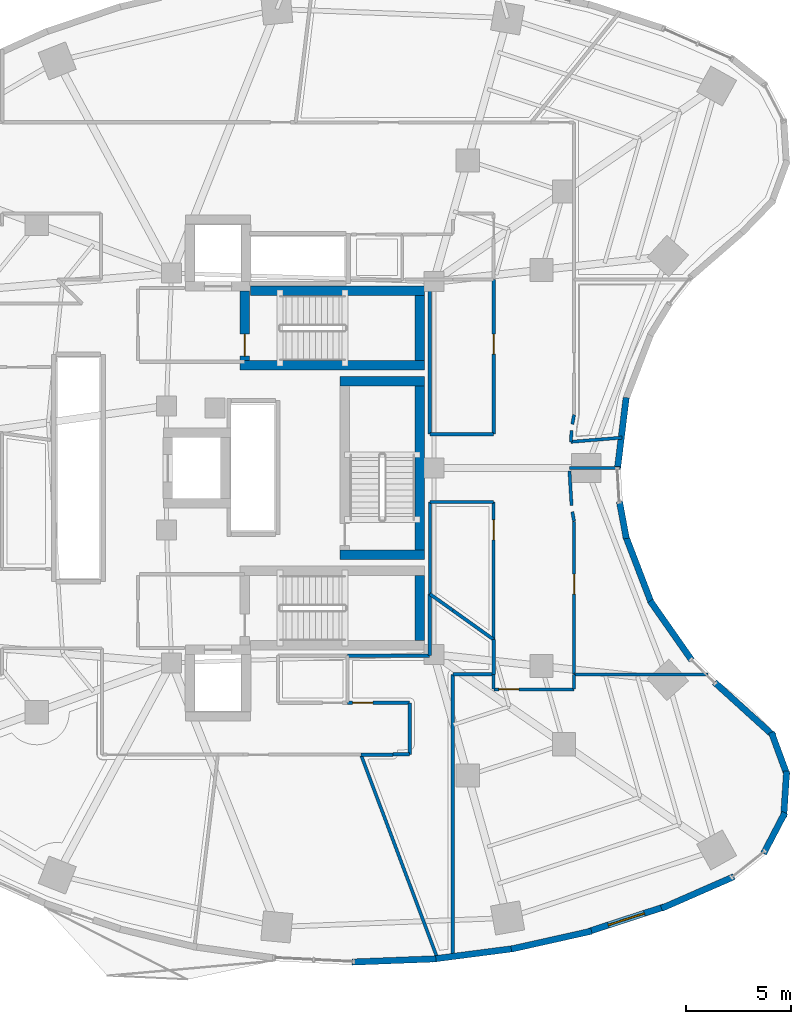
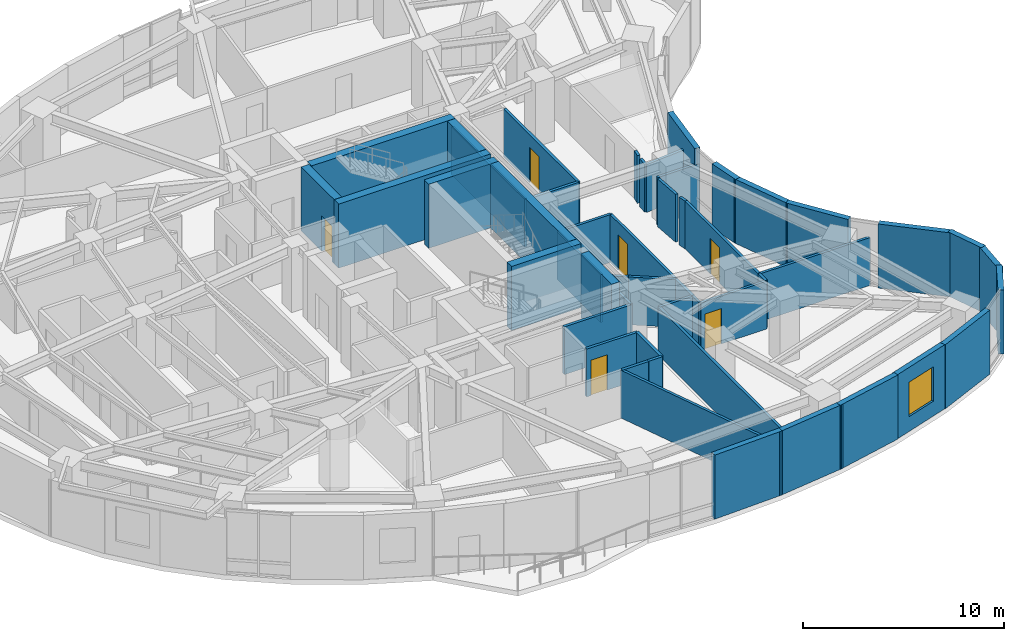
# One storey, part 10 of 16: 50 walls, 6 doors, 1 window, 7 openings.
"""IFC4 building model written with IfcOpenShell, lengths in metres."""

from ifc_helpers import new_model, si_unit, direction, frame, frame_2d, origin, place, context, subcontext, project, spatial, rectangle, extrude, material, layer, layer_set, type_object, element, fill, save


model = new_model("IFC4")

# Units and contexts
model_context = context("Model", 3, precision=1e-05, world=origin(), true_north=direction((0.0, 1.0)))
body_context = subcontext(model_context, "Body", "Model", "MODEL_VIEW")
ifc_project = project(units=[si_unit("LENGTHUNIT", "METRE"), si_unit("AREAUNIT", "SQUARE_METRE"), si_unit("VOLUMEUNIT", "CUBIC_METRE"), si_unit("PLANEANGLEUNIT", "RADIAN"), si_unit("MASSUNIT", "GRAM", prefix="KILO")], contexts=[model_context])

# Site, building, storey
site_placement = place(None, origin())
site = spatial("IfcSite", under=ifc_project, at=site_placement, CompositionType="ELEMENT")
building_placement = place(site_placement, origin())
building = spatial("IfcBuilding", under=site, at=building_placement, Name="Korentha Bioscience Tower", CompositionType="ELEMENT")
storey_placement = place(building_placement, frame((0.0, 0.0, 59.39990234375)))
storey = spatial("IfcBuildingStorey", under=building, at=storey_placement, Name="L13", CompositionType="ELEMENT", Elevation=59.39990234375)

# Wall, opening, door
ifc_material_1 = material(Name="Double-Stud Acoustic Gypsum", Category="gypsum")
ifc_layer_1 = layer(ifc_material_1, 0.14990234375, Name="Double-Stud Acoustic Gypsum")
ifc_layer_set_1 = layer_set([ifc_layer_1], Name="Double-Stud Acoustic Gypsum (IW-L150)")
wall_type_1 = type_object("IfcWallType", Name="Acoustic Laboratory Partition Wall 150", PredefinedType="PARTITIONING", material=ifc_layer_set_1)
wall_1_placement = place(storey_placement, frame((40.39990234375, 16.489990234375, 0.0), z_axis=(0.0, 0.0, 1.0), x_axis=(1.0, 0.0, 0.0)))
wall_1 = element("IfcWall", 1, at=wall_1_placement, inside=storey, type_object=wall_type_1, Name="L13 Research Group Leader Office 08 Entrance Wall", PredefinedType="PARTITIONING", context=body_context, shape_type="SweptSolid", body=[
    extrude(rectangle(XDim=3.800048828125, YDim=0.14990234375, at=frame_2d((1.89990234375, 0.0))), origin(), (0.0, 0.0, 1.0), 2.91015625),
])
opening_1_placement = place(wall_1_placement, frame((0.239990234375, 0.0, 0.0)))
opening_1 = element("IfcOpeningElement", 2, at=opening_1_placement, cuts=wall_1, Name="Opening ID-10L", PredefinedType="OPENING", context=body_context, shape_type="SweptSolid", body=[
    extrude(rectangle(XDim=0.949951171875, YDim=2.14990234375, at=frame_2d((0.47509765625, 1.074951171875))), frame((0.0, 0.08984375, 0.0), z_axis=(0.0, -1.0, 0.0), x_axis=(1.0, 0.0, 0.0)), (0.0, 0.0, 1.0), 0.1796875),
])
ifc_material_2 = material(Name="Phenolic Laminate Timber Core", Category="wood")
door_type_1 = type_object("IfcDoorType", Name="Laboratory Single Leaf Door 950x2150 Left", OperationType="SINGLE_SWING_LEFT", PredefinedType="DOOR", material=ifc_material_2)
door_1_placement = place(opening_1_placement, origin())
door_1 = element("IfcDoor", 3, at=door_1_placement, inside=storey, type_object=door_type_1, Name="L13 Research Group Leader Office 08 Door", OperationType="SINGLE_SWING_LEFT", OverallHeight=2.14990234375, OverallWidth=0.949951171875, PredefinedType="DOOR", context=body_context, shape_type="SweptSolid", body=[
    extrude(rectangle(XDim=0.949951171875, YDim=2.14990234375, at=frame_2d((0.47509765625, 1.074951171875))), frame((0.0, 0.02490234375, 0.0), z_axis=(0.0, -1.0, 0.0), x_axis=(1.0, 0.0, 0.0)), (0.0, 0.0, 1.0), 0.050048828125),
])
fill(opening_1, door_1)

wall_2_placement = place(storey_placement, frame((40.389892578125, 25.389892578125, 0.0), z_axis=(0.0, 0.0, 1.0), x_axis=(0.0, -1.0, 0.0)))
wall_2 = element("IfcWall", 4, at=wall_2_placement, inside=storey, type_object=wall_type_1, Name="L13 Data Visualization Collaboration Hub 09 Entrance Wall", PredefinedType="PARTITIONING", context=body_context, shape_type="SweptSolid", body=[
    extrude(rectangle(XDim=6.523193359375, YDim=0.14990234375, at=frame_2d((3.26171875, 0.0))), origin(), (0.0, 0.0, 1.0), 2.91015625),
])
opening_2_placement = place(wall_2_placement, frame((0.854736328125, 0.0, 0.0)))
opening_2 = element("IfcOpeningElement", 5, at=opening_2_placement, cuts=wall_2, Name="Opening ID-10R", PredefinedType="OPENING", context=body_context, shape_type="SweptSolid", body=[
    extrude(rectangle(XDim=0.949951171875, YDim=2.14990234375, at=frame_2d((0.47509765625, 1.074951171875))), frame((0.0, 0.08984375, 0.0), z_axis=(0.0, -1.0, 0.0), x_axis=(1.0, 0.0, 0.0)), (0.0, 0.0, 1.0), 0.1796875),
])
door_type_2 = type_object("IfcDoorType", Name="Laboratory Single Leaf Door 950x2150 Right", OperationType="SINGLE_SWING_RIGHT", PredefinedType="DOOR", material=ifc_material_2)
door_2_placement = place(opening_2_placement, origin())
door_2 = element("IfcDoor", 6, at=door_2_placement, inside=storey, type_object=door_type_2, Name="L13 Data Visualization Collaboration Hub 09 Door", OperationType="SINGLE_SWING_RIGHT", OverallHeight=2.14990234375, OverallWidth=0.949951171875, PredefinedType="DOOR", context=body_context, shape_type="SweptSolid", body=[
    extrude(rectangle(XDim=0.949951171875, YDim=2.14990234375, at=frame_2d((0.47509765625, 1.074951171875))), frame((0.0, 0.02490234375, 0.0), z_axis=(0.0, -1.0, 0.0), x_axis=(1.0, 0.0, 0.0)), (0.0, 0.0, 1.0), 0.050048828125),
])
fill(opening_2, door_2)

wall_3_placement = place(storey_placement, frame((44.2099609375, 17.2080078125, 0.0), z_axis=(0.0, 0.0, 1.0), x_axis=(0.0, 1.0, 0.0)))
wall_3 = element("IfcWall", 7, at=wall_3_placement, inside=storey, type_object=wall_type_1, Name="L13 Colloquium Huddle Room 10 Entrance Wall", PredefinedType="PARTITIONING", context=body_context, shape_type="SweptSolid", body=[
    extrude(rectangle(XDim=7.262451171875, YDim=0.14990234375, at=frame_2d((3.63134765625, 0.0))), origin(), (0.0, 0.0, 1.0), 2.91015625),
])
opening_3_placement = place(wall_3_placement, frame((3.806396484375, 0.0, 0.0)))
opening_3 = element("IfcOpeningElement", 8, at=opening_3_placement, cuts=wall_3, Name="Opening ID-10L", PredefinedType="OPENING", context=body_context, shape_type="SweptSolid", body=[
    extrude(rectangle(XDim=0.949951171875, YDim=2.14990234375, at=frame_2d((0.47509765625, 1.074951171875))), frame((0.0, 0.08984375, 0.0), z_axis=(0.0, -1.0, 0.0), x_axis=(1.0, 0.0, 0.0)), (0.0, 0.0, 1.0), 0.1796875),
])
door_3_placement = place(opening_3_placement, origin())
door_3 = element("IfcDoor", 9, at=door_3_placement, inside=storey, type_object=door_type_1, Name="L13 Colloquium Huddle Room 10 Door", OperationType="SINGLE_SWING_LEFT", OverallHeight=2.14990234375, OverallWidth=0.949951171875, PredefinedType="DOOR", context=body_context, shape_type="SweptSolid", body=[
    extrude(rectangle(XDim=0.949951171875, YDim=2.14990234375, at=frame_2d((0.47509765625, 1.074951171875))), frame((0.0, 0.02490234375, 0.0), z_axis=(0.0, -1.0, 0.0), x_axis=(1.0, 0.0, 0.0)), (0.0, 0.0, 1.0), 0.050048828125),
])
fill(opening_3, door_3)

# Walls
wall_4_placement = place(storey_placement, frame((34.087158203125, 13.389892578125, 0.0), z_axis=(0.0, 0.0, 1.0), x_axis=(0.351837225237, -0.936061198286, 0.0)))
element("IfcWall", 10, at=wall_4_placement, inside=storey, type_object=wall_type_1, Name="L13 Interior Partition 046", PredefinedType="PARTITIONING", context=body_context, shape_type="SweptSolid", body=[
    extrude(rectangle(XDim=10.456298828125, YDim=0.14990234375, at=frame_2d((5.22802734375, 0.0))), origin(), (0.0, 0.0, 1.0), 2.91015625),
])
wall_5_placement = place(storey_placement, frame((40.389892578125, 17.19189453125, 0.0), z_axis=(0.0, 0.0, 1.0), x_axis=(0.0, -1.0, 0.0)))
element("IfcWall", 11, at=wall_5_placement, inside=storey, type_object=wall_type_1, Name="L13 Interior Partition 058", PredefinedType="PARTITIONING", context=body_context, shape_type="SweptSolid", body=[
    extrude(rectangle(XDim=0.69189453125, YDim=0.14990234375, at=frame_2d((0.345947265625, 0.0))), origin(), (0.0, 0.0, 1.0), 2.91015625),
])
wall_6_placement = place(storey_placement, frame((44.2099609375, 16.5, 0.0), z_axis=(0.0, 0.0, 1.0), x_axis=(0.0, 1.0, 0.0)))
element("IfcWall", 12, at=wall_6_placement, inside=storey, type_object=wall_type_1, Name="L13 Interior Partition 059", PredefinedType="PARTITIONING", context=body_context, shape_type="SweptSolid", body=[
    extrude(rectangle(XDim=0.697998046875, YDim=0.14990234375, at=frame_2d((0.34912109375, 0.0))), origin(), (0.0, 0.0, 1.0), 2.91015625),
])
wall_7_placement = place(storey_placement, frame((44.2099609375, 17.197998046875, 0.0), z_axis=(0.0, 0.0, 1.0), x_axis=(1.0, 0.0, 0.0)))
element("IfcWall", 13, at=wall_7_placement, inside=storey, type_object=wall_type_1, Name="L13 Interior Partition 060", PredefinedType="PARTITIONING", context=body_context, shape_type="SweptSolid", body=[
    extrude(rectangle(XDim=6.347900390625, YDim=0.14990234375, at=frame_2d((3.173828125, 0.0))), origin(), (0.0, 0.0, 1.0), 2.91015625),
])
wall_8_placement = place(storey_placement, frame((37.360107421875, 21.025634765625, 0.0), z_axis=(0.0, 0.0, 1.0), x_axis=(0.0, 1.0, 0.0)))
element("IfcWall", 14, at=wall_8_placement, inside=storey, type_object=wall_type_1, Name="L13 Interior Partition 061", PredefinedType="PARTITIONING", context=body_context, shape_type="SweptSolid", body=[
    extrude(rectangle(XDim=4.3642578125, YDim=0.14990234375, at=frame_2d((2.18212890625, 0.0))), origin(), (0.0, 0.0, 1.0), 2.91015625),
])
wall_9_placement = place(storey_placement, frame((37.360107421875, 25.389892578125, 0.0), z_axis=(0.0, 0.0, 1.0), x_axis=(1.0, 0.0, 0.0)))
element("IfcWall", 15, at=wall_9_placement, inside=storey, type_object=wall_type_1, Name="L13 Interior Partition 062", PredefinedType="PARTITIONING", context=body_context, shape_type="SweptSolid", body=[
    extrude(rectangle(XDim=3.02978515625, YDim=0.14990234375, at=frame_2d((1.514892578125, 0.0))), origin(), (0.0, 0.0, 1.0), 2.91015625),
])
wall_10_placement = place(storey_placement, frame((44.209716796875, 24.47216796875, 0.0), z_axis=(0.0, 0.0, 1.0), x_axis=(-0.181936414242, 0.983310297502, 0.0)))
element("IfcWall", 16, at=wall_10_placement, inside=storey, type_object=wall_type_1, Name="L13 Interior Partition 063", PredefinedType="PARTITIONING", context=body_context, shape_type="SweptSolid", body=[
    extrude(rectangle(XDim=0.45751953125, YDim=0.14990234375, at=frame_2d((0.228759765625, 0.0))), origin(), (0.0, 0.0, 1.0), 2.91015625),
])
wall_11_placement = place(storey_placement, frame((44.090087890625, 25.217041015625, 0.0), z_axis=(0.0, 0.0, 1.0), x_axis=(-0.060976688407, 0.998139190429, 0.0)))
element("IfcWall", 17, at=wall_11_placement, inside=storey, type_object=wall_type_1, Name="L13 Interior Partition 064", PredefinedType="PARTITIONING", context=body_context, shape_type="SweptSolid", body=[
    extrude(rectangle(XDim=1.637451171875, YDim=0.14990234375, at=frame_2d((0.81884765625, 0.0))), origin(), (0.0, 0.0, 1.0), 2.91015625),
])
wall_12_placement = place(storey_placement, frame((43.986083984375, 26.998046875, 0.0), z_axis=(0.0, 0.0, 1.0), x_axis=(1.0, 0.0, 0.0)))
element("IfcWall", 18, at=wall_12_placement, inside=storey, type_object=wall_type_1, Name="L13 Interior Partition 065", PredefinedType="PARTITIONING", context=body_context, shape_type="SweptSolid", body=[
    extrude(rectangle(XDim=2.40966796875, YDim=0.14990234375, at=frame_2d((1.204833984375, 0.0))), origin(), (0.0, 0.0, 1.0), 2.91015625),
])
wall_13_placement = place(storey_placement, frame((46.481201171875, 28.44140625, 0.0), z_axis=(0.0, 0.0, 1.0), x_axis=(-0.996639947051, -0.081907361949, 0.0)))
element("IfcWall", 19, at=wall_13_placement, inside=storey, type_object=wall_type_1, Name="L13 Interior Partition 066", PredefinedType="PARTITIONING", context=body_context, shape_type="SweptSolid", body=[
    extrude(rectangle(XDim=2.43212890625, YDim=0.14990234375, at=frame_2d((1.216064453125, 0.0))), origin(), (0.0, 0.0, 1.0), 2.91015625),
])
wall_14_placement = place(storey_placement, frame((44.05712890625, 28.2421875, 0.0), z_axis=(0.0, 0.0, 1.0), x_axis=(0.060835194707, 0.998147824265, 0.0)))
element("IfcWall", 20, at=wall_14_placement, inside=storey, type_object=wall_type_1, Name="L13 Interior Partition 067", PredefinedType="PARTITIONING", context=body_context, shape_type="SweptSolid", body=[
    extrude(rectangle(XDim=0.541748046875, YDim=0.14990234375, at=frame_2d((0.27099609375, 0.0))), origin(), (0.0, 0.0, 1.0), 2.91015625),
])
wall_15_placement = place(storey_placement, frame((44.12646484375, 29.077880859375, 0.0), z_axis=(0.0, 0.0, 1.0), x_axis=(0.181936414242, 0.983310297502, 0.0)))
element("IfcWall", 21, at=wall_15_placement, inside=storey, type_object=wall_type_1, Name="L13 Interior Partition 068", PredefinedType="PARTITIONING", context=body_context, shape_type="SweptSolid", body=[
    extrude(rectangle(XDim=0.45751953125, YDim=0.14990234375, at=frame_2d((0.228759765625, 0.0))), origin(), (0.0, 0.0, 1.0), 2.91015625),
])

# Wall, opening, door
ifc_material_3 = material(Name="Gypsum-Clad Steel Stud", Category="steel")
ifc_layer_2 = layer(ifc_material_3, 0.159912109375, Name="Gypsum-Clad Steel Stud")
ifc_layer_set_2 = layer_set([ifc_layer_2], Name="Gypsum-Clad Steel Stud (IW-C160)")
wall_type_2 = type_object("IfcWallType", Name="Fire-Rated Corridor Partition Wall 160", PredefinedType="PARTITIONING", material=ifc_layer_set_2)
wall_16_placement = place(storey_placement, frame((36.39990234375, 15.860107421875, 0.0), z_axis=(0.0, 0.0, 1.0), x_axis=(-1.0, 0.0, 0.0)))
wall_16 = element("IfcWall", 22, at=wall_16_placement, inside=storey, type_object=wall_type_2, Name="L13 Ultrapure Water Polisher Plant Alcove 07 Entrance Wall", PredefinedType="PARTITIONING", context=body_context, shape_type="SweptSolid", body=[
    extrude(rectangle(XDim=2.93994140625, YDim=0.159912109375, at=frame_2d((1.469970703125, 0.0))), origin(), (0.0, 0.0, 1.0), 2.91015625),
])
opening_4_placement = place(wall_16_placement, frame((1.75, 0.0, 0.0)))
opening_4 = element("IfcOpeningElement", 23, at=opening_4_placement, cuts=wall_16, Name="Opening FD-120D", PredefinedType="OPENING", context=body_context, shape_type="SweptSolid", body=[
    extrude(rectangle(XDim=0.949951171875, YDim=2.14990234375, at=frame_2d((0.47509765625, 1.074951171875))), frame((0.0, 0.0947265625, 0.0), z_axis=(0.0, -1.0, 0.0), x_axis=(1.0, 0.0, 0.0)), (0.0, 0.0, 1.0), 0.189697265625),
])
ifc_material_4 = material(Name="Heavy-Duty Insulated Steel", Category="steel")
door_type_3 = type_object("IfcDoorType", Name="Plant & Riser Fire Door 950x2150 Left", OperationType="SINGLE_SWING_LEFT", PredefinedType="DOOR", material=ifc_material_4)
door_4_placement = place(opening_4_placement, origin())
door_4 = element("IfcDoor", 24, at=door_4_placement, inside=storey, type_object=door_type_3, Name="L13 Ultrapure Water Polisher Plant Alcove 07 Door", OperationType="SINGLE_SWING_LEFT", OverallHeight=2.14990234375, OverallWidth=0.949951171875, PredefinedType="DOOR", context=body_context, shape_type="SweptSolid", body=[
    extrude(rectangle(XDim=0.949951171875, YDim=2.14990234375, at=frame_2d((0.47509765625, 1.074951171875))), frame((0.0, 0.02490234375, 0.0), z_axis=(0.0, -1.0, 0.0), x_axis=(1.0, 0.0, 0.0)), (0.0, 0.0, 1.0), 0.050048828125),
])
fill(opening_4, door_4)

wall_17_placement = place(storey_placement, frame((40.389892578125, 35.947998046875, 0.0), z_axis=(0.0, 0.0, 1.0), x_axis=(0.0, -1.0, 0.0)))
wall_17 = element("IfcWall", 25, at=wall_17_placement, inside=storey, type_object=wall_type_2, Name="L13 Specimen Barcoding Receiving Room 12 Entrance Wall", PredefinedType="PARTITIONING", context=body_context, shape_type="SweptSolid", body=[
    extrude(rectangle(XDim=7.337890625, YDim=0.159912109375, at=frame_2d((3.6689453125, 0.0))), origin(), (0.0, 0.0, 1.0), 2.91015625),
])
opening_5_placement = place(wall_17_placement, frame((2.587890625, 0.0, 0.0)))
opening_5 = element("IfcOpeningElement", 26, at=opening_5_placement, cuts=wall_17, Name="Opening ID-10L", PredefinedType="OPENING", context=body_context, shape_type="SweptSolid", body=[
    extrude(rectangle(XDim=0.949951171875, YDim=2.14990234375, at=frame_2d((0.47509765625, 1.074951171875))), frame((0.0, 0.0947265625, 0.0), z_axis=(0.0, -1.0, 0.0), x_axis=(1.0, 0.0, 0.0)), (0.0, 0.0, 1.0), 0.189697265625),
])
door_5_placement = place(opening_5_placement, origin())
door_5 = element("IfcDoor", 27, at=door_5_placement, inside=storey, type_object=door_type_1, Name="L13 Specimen Barcoding Receiving Room 12 Door", OperationType="SINGLE_SWING_LEFT", OverallHeight=2.14990234375, OverallWidth=0.949951171875, PredefinedType="DOOR", context=body_context, shape_type="SweptSolid", body=[
    extrude(rectangle(XDim=0.949951171875, YDim=2.14990234375, at=frame_2d((0.47509765625, 1.074951171875))), frame((0.0, 0.02490234375, 0.0), z_axis=(0.0, -1.0, 0.0), x_axis=(1.0, 0.0, 0.0)), (0.0, 0.0, 1.0), 0.050048828125),
])
fill(opening_5, door_5)

# Walls
wall_18_placement = place(storey_placement, frame((38.4521484375, 20.236572265625, 0.0), z_axis=(0.0, 0.0, 1.0), x_axis=(0.814086766517, -0.580743262192, 0.0)))
element("IfcWall", 28, at=wall_18_placement, inside=storey, type_object=wall_type_2, Name="L13 Interior Partition 047", PredefinedType="PARTITIONING", context=body_context, shape_type="SweptSolid", body=[
    extrude(rectangle(XDim=2.38037109375, YDim=0.159912109375, at=frame_2d((1.190185546875, 0.0))), origin(), (0.0, 0.0, 1.0), 2.91015625),
])
wall_19_placement = place(storey_placement, frame((40.389892578125, 18.854248046875, 0.0), z_axis=(0.0, 0.0, 1.0), x_axis=(0.0, -1.0, 0.0)))
element("IfcWall", 29, at=wall_19_placement, inside=storey, type_object=wall_type_2, Name="L13 Interior Partition 048", PredefinedType="PARTITIONING", context=body_context, shape_type="SweptSolid", body=[
    extrude(rectangle(XDim=1.65234375, YDim=0.159912109375, at=frame_2d((0.826171875, 0.0))), origin(), (0.0, 0.0, 1.0), 2.91015625),
])
wall_20_placement = place(storey_placement, frame((40.389892578125, 17.201904296875, 0.0), z_axis=(0.0, 0.0, 1.0), x_axis=(-1.0, 0.0, 0.0)))
element("IfcWall", 30, at=wall_20_placement, inside=storey, type_object=wall_type_2, Name="L13 Interior Partition 049", PredefinedType="PARTITIONING", context=body_context, shape_type="SweptSolid", body=[
    extrude(rectangle(XDim=1.937744140625, YDim=0.159912109375, at=frame_2d((0.96875, 0.0))), origin(), (0.0, 0.0, 1.0), 2.91015625),
])
wall_21_placement = place(storey_placement, frame((38.447998046875, 17.197998046875, 0.0), z_axis=(0.0, 0.0, 1.0), x_axis=(0.0, -1.0, 0.0)))
element("IfcWall", 31, at=wall_21_placement, inside=storey, type_object=wall_type_2, Name="L13 Interior Partition 050", PredefinedType="PARTITIONING", context=body_context, shape_type="SweptSolid", body=[
    extrude(rectangle(XDim=13.5126953125, YDim=0.159912109375, at=frame_2d((6.75634765625, 0.0))), origin(), (0.0, 0.0, 1.0), 2.91015625),
])
wall_22_placement = place(storey_placement, frame((34.097900390625, 13.389892578125, 0.0), z_axis=(0.0, 0.0, 1.0), x_axis=(1.0, 0.0, 0.0)))
element("IfcWall", 32, at=wall_22_placement, inside=storey, type_object=wall_type_2, Name="L13 Interior Partition 051", PredefinedType="PARTITIONING", context=body_context, shape_type="SweptSolid", body=[
    extrude(rectangle(XDim=1.502197265625, YDim=0.159912109375, at=frame_2d((0.7509765625, 0.0))), origin(), (0.0, 0.0, 1.0), 2.91015625),
])
wall_23_placement = place(storey_placement, frame((35.610107421875, 13.39990234375, 0.0), z_axis=(0.0, 0.0, 1.0), x_axis=(1.0, 0.0, 0.0)))
element("IfcWall", 33, at=wall_23_placement, inside=storey, type_object=wall_type_2, Name="L13 Interior Partition 053", PredefinedType="PARTITIONING", context=body_context, shape_type="SweptSolid", body=[
    extrude(rectangle(XDim=0.789794921875, YDim=0.159912109375, at=frame_2d((0.39501953125, 0.0))), origin(), (0.0, 0.0, 1.0), 2.91015625),
])
wall_24_placement = place(storey_placement, frame((36.39990234375, 13.39990234375, 0.0), z_axis=(0.0, 0.0, 1.0), x_axis=(0.004085258855, 0.999991655295, 0.0)))
element("IfcWall", 34, at=wall_24_placement, inside=storey, type_object=wall_type_2, Name="L13 Interior Partition 054", PredefinedType="PARTITIONING", context=body_context, shape_type="SweptSolid", body=[
    extrude(rectangle(XDim=2.4501953125, YDim=0.159912109375, at=frame_2d((1.22509765625, 0.0))), origin(), (0.0, 0.0, 1.0), 2.91015625),
])
wall_25_placement = place(storey_placement, frame((33.4599609375, 18.090087890625, 0.0), z_axis=(0.0, 0.0, 1.0), x_axis=(1.0, 0.0, 0.0)))
element("IfcWall", 35, at=wall_25_placement, inside=storey, type_object=wall_type_2, Name="L13 Interior Partition 055", PredefinedType="PARTITIONING", context=body_context, shape_type="SweptSolid", body=[
    extrude(rectangle(XDim=3.89013671875, YDim=0.159912109375, at=frame_2d((1.945068359375, 0.0))), origin(), (0.0, 0.0, 1.0), 2.91015625),
])
wall_26_placement = place(storey_placement, frame((37.360107421875, 18.10009765625, 0.0), z_axis=(0.0, 0.0, 1.0), x_axis=(0.0, 1.0, 0.0)))
element("IfcWall", 36, at=wall_26_placement, inside=storey, type_object=wall_type_2, Name="L13 Interior Partition 056", PredefinedType="PARTITIONING", context=body_context, shape_type="SweptSolid", body=[
    extrude(rectangle(XDim=2.91552734375, YDim=0.159912109375, at=frame_2d((1.457763671875, 0.0))), origin(), (0.0, 0.0, 1.0), 2.91015625),
])
wall_27_placement = place(storey_placement, frame((37.360107421875, 21.015625, 0.0), z_axis=(0.0, 0.0, 1.0), x_axis=(0.814066623235, -0.580771498039, 0.0)))
element("IfcWall", 37, at=wall_27_placement, inside=storey, type_object=wall_type_2, Name="L13 Interior Partition 057", PredefinedType="PARTITIONING", context=body_context, shape_type="SweptSolid", body=[
    extrude(rectangle(XDim=1.33642578125, YDim=0.159912109375, at=frame_2d((0.668212890625, 0.0))), origin(), (0.0, 0.0, 1.0), 2.91015625),
])
wall_28_placement = place(storey_placement, frame((40.389892578125, 28.610107421875, 0.0), z_axis=(0.0, 0.0, 1.0), x_axis=(-1.0, 0.0, 0.0)))
element("IfcWall", 38, at=wall_28_placement, inside=storey, type_object=wall_type_2, Name="L13 Interior Partition 072", PredefinedType="PARTITIONING", context=body_context, shape_type="SweptSolid", body=[
    extrude(rectangle(XDim=3.02978515625, YDim=0.159912109375, at=frame_2d((1.514892578125, 0.0))), origin(), (0.0, 0.0, 1.0), 2.91015625),
])
wall_29_placement = place(storey_placement, frame((37.360107421875, 28.610107421875, 0.0), z_axis=(0.0, 0.0, 1.0), x_axis=(0.0, 1.0, 0.0)))
element("IfcWall", 39, at=wall_29_placement, inside=storey, type_object=wall_type_2, Name="L13 Interior Partition 073", PredefinedType="PARTITIONING", context=body_context, shape_type="SweptSolid", body=[
    extrude(rectangle(XDim=7.289794921875, YDim=0.159912109375, at=frame_2d((3.64501953125, 0.0))), origin(), (0.0, 0.0, 1.0), 2.91015625),
])

# Wall, opening, window
ifc_material_5 = material(Name="Honed Limestone Precast Concrete C40", Category="masonry")
ifc_layer_3 = layer(ifc_material_5, 0.300048828125, Name="Honed Limestone Precast Concrete C40")
ifc_layer_set_3 = layer_set([ifc_layer_3], Name="Honed Limestone Precast Concrete C40 (EW-ST300)")
wall_type_3 = type_object("IfcWallType", Name="Honed Limestone Cavity Spandrel Wall 300", PredefinedType="STANDARD", material=ifc_layer_set_3)
wall_30_placement = place(storey_placement, frame((44.885498046875, 4.98828125, 0.0), z_axis=(0.0, 0.0, 1.0), x_axis=(0.950958033078, 0.30931993037, 0.0)))
wall_30 = element("IfcWall", 40, at=wall_30_placement, inside=storey, type_object=wall_type_3, Name="L13 Honed Limestone Spandrel Wall 35", PredefinedType="STANDARD", context=body_context, shape_type="SweptSolid", body=[
    extrude(rectangle(XDim=3.80029296875, YDim=0.300048828125, at=frame_2d((1.900146484375, 0.0))), origin(), (0.0, 0.0, 1.0), 3.900146484375),
])
opening_6_placement = place(wall_30_placement, frame((1.0, 0.0, 0.89990234375)))
opening_6 = element("IfcOpeningElement", 41, at=opening_6_placement, cuts=wall_30, Name="Opening WN-01", PredefinedType="OPENING", context=body_context, shape_type="SweptSolid", body=[
    extrude(rectangle(XDim=1.800048828125, YDim=2.10009765625, at=frame_2d((0.89990234375, 1.050048828125))), frame((0.0, 0.1650390625, 0.0), z_axis=(0.0, -1.0, 0.0), x_axis=(1.0, 0.0, 0.0)), (0.0, 0.0, 1.0), 0.329833984375),
])
ifc_material_6 = material(Name="Thermally Broken Aluminium Triple Glazing", Category="aluminium")
window_type = type_object("IfcWindowType", Name="Triple-Glazed Fixed Bioscience Window 1800x2100", PartitioningType="SINGLE_PANEL", PredefinedType="WINDOW", material=ifc_material_6)
window_placement = place(opening_6_placement, origin())
window = element("IfcWindow", 42, at=window_placement, inside=storey, type_object=window_type, Name="L13 Facade Window 35", OverallHeight=2.10009765625, OverallWidth=1.800048828125, PartitioningType="SINGLE_PANEL", PredefinedType="WINDOW", context=body_context, shape_type="SweptSolid", body=[
    extrude(rectangle(XDim=1.800048828125, YDim=2.10009765625, at=frame_2d((0.89990234375, 1.050048828125))), frame((0.0, 0.030029296875, 0.0), z_axis=(0.0, -1.0, 0.0), x_axis=(1.0, 0.0, 0.0)), (0.0, 0.0, 1.0), 0.06005859375),
])
fill(opening_6, window)

# Walls
wall_31_placement = place(storey_placement, frame((33.66796875, 3.53759765625, 0.0), z_axis=(0.0, 0.0, 1.0), x_axis=(0.999245411623, 0.038840794937, 0.0)))
element("IfcWall", 43, at=wall_31_placement, inside=storey, type_object=wall_type_3, Name="L13 Limestone Perimeter Closure Wall 32", PredefinedType="STANDARD", context=body_context, shape_type="SweptSolid", body=[
    extrude(rectangle(XDim=3.978759765625, YDim=0.300048828125, at=frame_2d((1.9892578125, 0.0))), origin(), (0.0, 0.0, 1.0), 3.900146484375),
])
wall_32_placement = place(storey_placement, frame((37.471923828125, 3.677734375, 0.0), z_axis=(0.0, 0.0, 1.0), x_axis=(0.991734095036, 0.128310111617, 0.0)))
element("IfcWall", 44, at=wall_32_placement, inside=storey, type_object=wall_type_3, Name="L13 Limestone Perimeter Closure Wall 33", PredefinedType="STANDARD", context=body_context, shape_type="SweptSolid", body=[
    extrude(rectangle(XDim=3.955810546875, YDim=0.300048828125, at=frame_2d((1.97802734375, 0.0))), origin(), (0.0, 0.0, 1.0), 3.900146484375),
])
wall_33_placement = place(storey_placement, frame((41.22509765625, 4.1552734375, 0.0), z_axis=(0.0, 0.0, 1.0), x_axis=(0.975868573345, 0.218358713032, 0.0)))
element("IfcWall", 45, at=wall_33_placement, inside=storey, type_object=wall_type_3, Name="L13 Limestone Perimeter Closure Wall 34", PredefinedType="STANDARD", context=body_context, shape_type="SweptSolid", body=[
    extrude(rectangle(XDim=3.90869140625, YDim=0.300048828125, at=frame_2d((1.954345703125, 0.0))), origin(), (0.0, 0.0, 1.0), 3.900146484375),
])
wall_34_placement = place(storey_placement, frame((48.3623046875, 6.089111328125, 0.0), z_axis=(0.0, 0.0, 1.0), x_axis=(0.915945168042, 0.401303437738, 0.0)))
element("IfcWall", 46, at=wall_34_placement, inside=storey, type_object=wall_type_3, Name="L13 Limestone Perimeter Closure Wall 36", PredefinedType="STANDARD", context=body_context, shape_type="SweptSolid", body=[
    extrude(rectangle(XDim=3.75244140625, YDim=0.300048828125, at=frame_2d((1.876220703125, 0.0))), origin(), (0.0, 0.0, 1.0), 3.900146484375),
])
wall_35_placement = place(storey_placement, frame((53.20751953125, 8.691650390625, 0.0), z_axis=(0.0, 0.0, 1.0), x_axis=(0.463035066673, 0.886339961319, 0.0)))
element("IfcWall", 47, at=wall_35_placement, inside=storey, type_object=wall_type_3, Name="L13 Limestone Perimeter Closure Wall 38", PredefinedType="STANDARD", context=body_context, shape_type="SweptSolid", body=[
    extrude(rectangle(XDim=2.1875, YDim=0.300048828125, at=frame_2d((1.09375, 0.0))), origin(), (0.0, 0.0, 1.0), 3.900146484375),
])
for number, where, z_axis, x_axis, name in (
    (48, (54.16259765625, 10.42431640625, 0.0), (0.0, 0.0, 1.0), (0.064615302336, 0.99791024782, 0.0), "L13 Limestone Perimeter Closure Wall 39"),
    (49, (54.334716796875, 12.39501953125, 0.0), (0.0, 0.0, 1.0), (-0.344939866054, 0.938624785954, 0.0), "L13 Limestone Perimeter Closure Wall 40"),
):
    element("IfcWall", number, at=place(storey_placement, frame(where, z_axis=z_axis, x_axis=x_axis)), inside=storey, type_object=wall_type_3, Name=name, PredefinedType="STANDARD", context=body_context, shape_type="SweptSolid", body=[
        extrude(rectangle(XDim=2.187744140625, YDim=0.300048828125, at=frame_2d((1.09375, 0.0))), origin(), (0.0, 0.0, 1.0), 3.900146484375),
    ])
wall_36_placement = place(storey_placement, frame((53.704345703125, 14.26416015625, 0.0), z_axis=(0.0, 0.0, 1.0), x_axis=(-0.74117794387, 0.671308614216, 0.0)))
element("IfcWall", 50, at=wall_36_placement, inside=storey, type_object=wall_type_3, Name="L13 Limestone Perimeter Closure Wall 41", PredefinedType="STANDARD", context=body_context, shape_type="SweptSolid", body=[
    extrude(rectangle(XDim=3.815673828125, YDim=0.300048828125, at=frame_2d((1.90771484375, 0.0))), origin(), (0.0, 0.0, 1.0), 3.900146484375),
])
wall_37_placement = place(storey_placement, frame((49.79248046875, 17.8779296875, 0.0), z_axis=(0.0, 0.0, 1.0), x_axis=(-0.573576992806, 0.819151654655, 0.0)))
element("IfcWall", 51, at=wall_37_placement, inside=storey, type_object=wall_type_3, Name="L13 Limestone Perimeter Closure Wall 44", PredefinedType="STANDARD", context=body_context, shape_type="SweptSolid", body=[
    extrude(rectangle(XDim=3.429931640625, YDim=0.300048828125, at=frame_2d((1.71484375, 0.0))), origin(), (0.0, 0.0, 1.0), 3.900146484375),
])
wall_38_placement = place(storey_placement, frame((47.8837890625, 20.577392578125, 0.0), z_axis=(0.0, 0.0, 1.0), x_axis=(-0.358344570513, 0.933589400531, 0.0)))
element("IfcWall", 52, at=wall_38_placement, inside=storey, type_object=wall_type_3, Name="L13 Limestone Perimeter Closure Wall 46", PredefinedType="STANDARD", context=body_context, shape_type="SweptSolid", body=[
    extrude(rectangle(XDim=3.4296875, YDim=0.300048828125, at=frame_2d((1.71484375, 0.0))), origin(), (0.0, 0.0, 1.0), 3.900146484375),
])
wall_39_placement = place(storey_placement, frame((46.691162109375, 23.650390625, 0.0), z_axis=(0.0, 0.0, 1.0), x_axis=(-0.182230271073, 0.983255881399, 0.0)))
element("IfcWall", 53, at=wall_39_placement, inside=storey, type_object=wall_type_3, Name="L13 Limestone Perimeter Closure Wall 48", PredefinedType="STANDARD", context=body_context, shape_type="SweptSolid", body=[
    extrude(rectangle(XDim=1.7978515625, YDim=0.300048828125, at=frame_2d((0.89892578125, 0.0))), origin(), (0.0, 0.0, 1.0), 3.900146484375),
])
wall_40_placement = place(storey_placement, frame((46.26708984375, 26.937744140625, 0.0), z_axis=(0.0, 0.0, 1.0), x_axis=(0.121870386032, 0.992546023622, 0.0)))
element("IfcWall", 54, at=wall_40_placement, inside=storey, type_object=wall_type_3, Name="L13 Limestone Perimeter Closure Wall 50", PredefinedType="STANDARD", context=body_context, shape_type="SweptSolid", body=[
    extrude(rectangle(XDim=3.4296875, YDim=0.300048828125, at=frame_2d((1.71484375, 0.0))), origin(), (0.0, 0.0, 1.0), 3.900146484375),
])
ifc_material_7 = material(Name="Concrete C80", Category="concrete")
ifc_layer_4 = layer(ifc_material_7, 0.449951171875, Name="Concrete C80")
ifc_layer_set_4 = layer_set([ifc_layer_4], Name="Concrete C80 (CW-C80)")
wall_type_4 = type_object("IfcWallType", Name="Lower Core Shear Wall 450", PredefinedType="SHEAR", material=ifc_layer_set_4)
wall_41_placement = place(storey_placement, frame((28.85205078125, 35.425048828125, 0.0), z_axis=(0.0, 0.0, 1.0), x_axis=(1.0, 0.0, 0.0)))
element("IfcWall", 55, at=wall_41_placement, inside=storey, type_object=wall_type_4, Name="L13 Core Shear Wall ST1-N", PredefinedType="SHEAR", context=body_context, shape_type="SweptSolid", body=[
    extrude(rectangle(XDim=8.248046875, YDim=0.449951171875, at=frame_2d((4.1240234375, 0.0))), origin(), (0.0, 0.0, 1.0), 3.900146484375),
])
wall_42_placement = place(storey_placement, frame((28.35009765625, 31.875, 0.0), z_axis=(0.0, 0.0, 1.0), x_axis=(1.0, 0.0, 0.0)))
element("IfcWall", 56, at=wall_42_placement, inside=storey, type_object=wall_type_4, Name="L13 Core Shear Wall ST1-S", PredefinedType="SHEAR", context=body_context, shape_type="SweptSolid", body=[
    extrude(rectangle(XDim=8.75, YDim=0.449951171875, at=frame_2d((4.375, 0.0))), origin(), (0.0, 0.0, 1.0), 3.900146484375),
])
wall_43_placement = place(storey_placement, frame((36.875, 32.110107421875, 0.0), z_axis=(0.0, 0.0, 1.0), x_axis=(0.0, 1.0, 0.0)))
element("IfcWall", 57, at=wall_43_placement, inside=storey, type_object=wall_type_4, Name="L13 Core Shear Wall ST1-E", PredefinedType="SHEAR", context=body_context, shape_type="SweptSolid", body=[
    extrude(rectangle(XDim=3.079833984375, YDim=0.449951171875, at=frame_2d((1.5400390625, 0.0))), origin(), (0.0, 0.0, 1.0), 3.900146484375),
])

# Wall, opening, door
wall_44_placement = place(storey_placement, frame((28.574951171875, 32.110107421875, 0.0), z_axis=(0.0, 0.0, 1.0), x_axis=(0.0, 1.0, 0.0)))
wall_44 = element("IfcWall", 58, at=wall_44_placement, inside=storey, type_object=wall_type_4, Name="L13 Core Shear Wall ST1-W", PredefinedType="SHEAR", context=body_context, shape_type="SweptSolid", body=[
    extrude(rectangle(XDim=3.282958984375, YDim=0.449951171875, at=frame_2d((1.6416015625, 0.0))), origin(), (0.0, 0.0, 1.0), 3.900146484375),
])
opening_7_placement = place(wall_44_placement, frame((0.199951171875, 0.0, 0.0)))
opening_7 = element("IfcOpeningElement", 59, at=opening_7_placement, cuts=wall_44, Name="Opening FD-90R", PredefinedType="OPENING", context=body_context, shape_type="SweptSolid", body=[
    extrude(rectangle(XDim=1.050048828125, YDim=2.14990234375, at=frame_2d((0.52490234375, 1.074951171875))), frame((0.0, 0.23974609375, 0.0), z_axis=(0.0, -1.0, 0.0), x_axis=(1.0, 0.0, 0.0)), (0.0, 0.0, 1.0), 0.479736328125),
])
ifc_material_8 = material(Name="Powder-Coated Fire-Rated Steel", Category="steel")
door_type_4 = type_object("IfcDoorType", Name="Stairwell Fire Exit Door 1050x2150 Right", OperationType="SINGLE_SWING_RIGHT", PredefinedType="DOOR", material=ifc_material_8)
door_6_placement = place(opening_7_placement, origin())
door_6 = element("IfcDoor", 60, at=door_6_placement, inside=storey, type_object=door_type_4, Name="L13 ST-1 Fire Exit Stair Door", OperationType="SINGLE_SWING_RIGHT", OverallHeight=2.14990234375, OverallWidth=1.050048828125, PredefinedType="DOOR", context=body_context, shape_type="SweptSolid", body=[
    extrude(rectangle(XDim=1.050048828125, YDim=2.14990234375, at=frame_2d((0.52490234375, 1.074951171875))), frame((0.0, 0.02490234375, 0.0), z_axis=(0.0, -1.0, 0.0), x_axis=(1.0, 0.0, 0.0)), (0.0, 0.0, 1.0), 0.050048828125),
])
fill(opening_7, door_6)

# Walls
wall_45_placement = place(storey_placement, frame((36.875, 18.81005859375, 0.0), z_axis=(0.0, 0.0, 1.0), x_axis=(0.0, 1.0, 0.0)))
element("IfcWall", 61, at=wall_45_placement, inside=storey, type_object=wall_type_4, Name="L13 Core Shear Wall ST2-E", PredefinedType="SHEAR", context=body_context, shape_type="SweptSolid", body=[
    extrude(rectangle(XDim=3.079833984375, YDim=0.449951171875, at=frame_2d((1.5400390625, 0.0))), origin(), (0.0, 0.0, 1.0), 3.900146484375),
])
for number, where, z_axis, x_axis, name in (
    (62, (33.10009765625, 31.125, 0.0), (0.0, 0.0, 1.0), (1.0, 0.0, 0.0), "L13 Core Shear Wall ST3-N"),
    (63, (33.10009765625, 22.875, 0.0), (0.0, 0.0, 1.0), (1.0, 0.0, 0.0), "L13 Core Shear Wall ST3-S"),
):
    element("IfcWall", number, at=place(storey_placement, frame(where, z_axis=z_axis, x_axis=x_axis)), inside=storey, type_object=wall_type_4, Name=name, PredefinedType="SHEAR", context=body_context, shape_type="SweptSolid", body=[
        extrude(rectangle(XDim=4.0, YDim=0.449951171875, at=frame_2d((2.0, 0.0))), origin(), (0.0, 0.0, 1.0), 3.900146484375),
    ])
wall_46_placement = place(storey_placement, frame((36.875, 23.110107421875, 0.0), z_axis=(0.0, 0.0, 1.0), x_axis=(0.0, 1.0, 0.0)))
element("IfcWall", 64, at=wall_46_placement, inside=storey, type_object=wall_type_4, Name="L13 Core Shear Wall ST3-E", PredefinedType="SHEAR", context=body_context, shape_type="SweptSolid", body=[
    extrude(rectangle(XDim=7.77978515625, YDim=0.449951171875, at=frame_2d((3.889892578125, 0.0))), origin(), (0.0, 0.0, 1.0), 3.900146484375),
])

save(model, "model.ifc")
